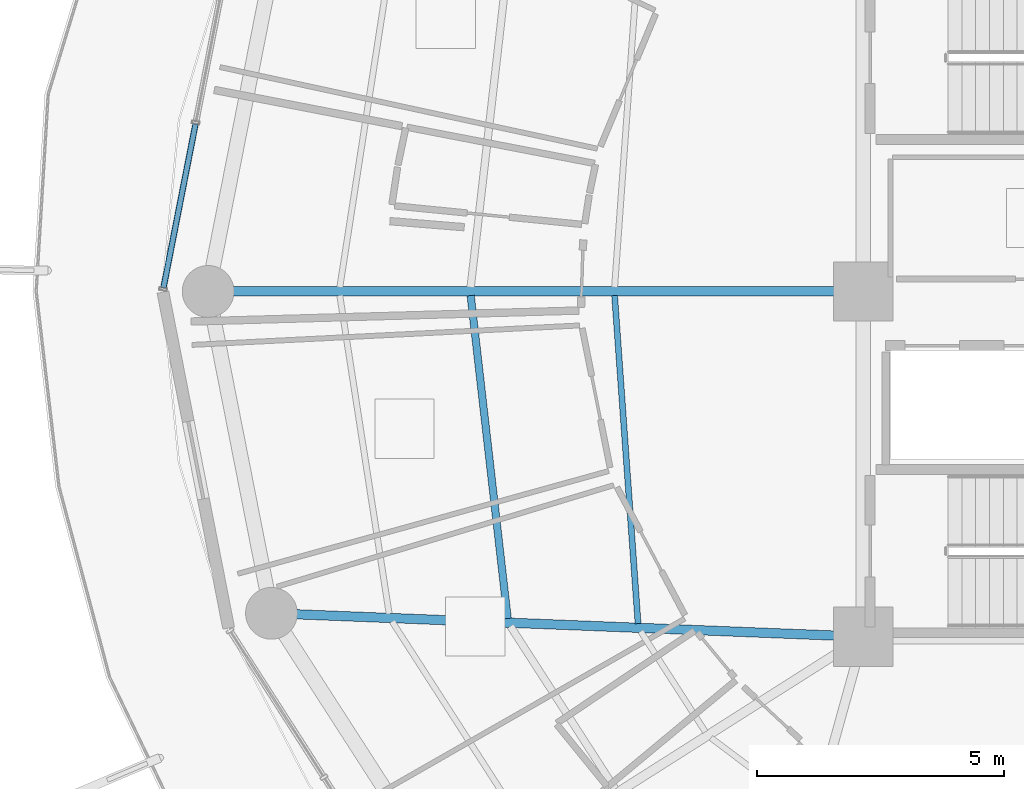
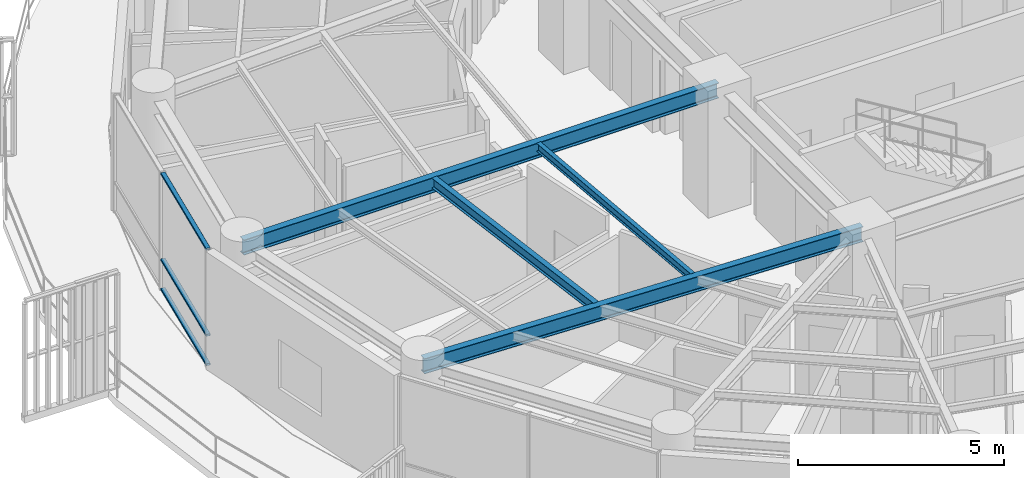
# One storey, part 7 of 30: 4 beams, 3 members, 1 element without a shape of its own.
"""IFC4 building model written with IfcOpenShell, lengths in metres."""

from ifc_helpers import new_model, si_unit, direction, frame, origin, origin_2d, place, context, subcontext, project, spatial, hollow_rectangle, i_section, extrude, material, layer, layer_set, material_profile, profile_set, type_object, element, aggregate, save


model = new_model("IFC4")

# Units and contexts
model_context = context("Model", 3, precision=1e-05, world=origin(), true_north=direction((0.0, 1.0)))
body_context = subcontext(model_context, "Body", "Model", "MODEL_VIEW")
ifc_project = project(units=[si_unit("LENGTHUNIT", "METRE"), si_unit("AREAUNIT", "SQUARE_METRE"), si_unit("VOLUMEUNIT", "CUBIC_METRE"), si_unit("PLANEANGLEUNIT", "RADIAN"), si_unit("MASSUNIT", "GRAM", prefix="KILO")], contexts=[model_context])

# Site, building, storey
site_placement = place(None, origin())
site = spatial("IfcSite", under=ifc_project, at=site_placement, CompositionType="ELEMENT")
building_placement = place(site_placement, origin())
building = spatial("IfcBuilding", under=site, at=building_placement, Name="Kelanora Arch Commons", CompositionType="ELEMENT")
storey_placement = place(building_placement, frame((0.0, 0.0, 204.449951171875)))
storey = spatial("IfcBuildingStorey", under=building, at=storey_placement, Name="L52", CompositionType="ELEMENT", Elevation=204.449951171875)

# Beams
ifc_material_1 = material(Name="Steel S355", Category="steel")
ifc_material_profile_1 = material_profile(ifc_material_1, i_section(OverallWidth=0.14990234375, OverallDepth=0.300048828125, WebThickness=0.007080078125, FlangeThickness=0.0107421875, FilletRadius=0.014892578125, at=origin_2d()), Name="IPE300")
ifc_profile_set_1 = profile_set([ifc_material_profile_1], Name="Steel S355")
beam_type_1 = type_object("IfcBeamType", Name="BM-JST-01", PredefinedType="JOIST", material=ifc_profile_set_1)
beam_1_placement = place(storey_placement, frame((58.041748046875, 57.91552734375, 3.340087890625), z_axis=(0.113891408177, -0.993493204377, 0.0), x_axis=(0.993493204377, 0.113891408177, 0.0)))
element("IfcBeam", 1, at=beam_1_placement, inside=storey, type_object=beam_type_1, Name="Secondary Chord Joist BJB-18 L52", PredefinedType="JOIST", context=body_context, shape_type="SweptSolid", body=[
    extrude(i_section(OverallWidth=0.14990234375, OverallDepth=0.300048828125, WebThickness=0.007080078125, FlangeThickness=0.0107421875, FilletRadius=0.014892578125, at=origin_2d()), origin(), (0.0, 0.0, 1.0), 6.589599609375),
])
ifc_material_profile_2 = material_profile(ifc_material_1, i_section(OverallWidth=0.1201171875, OverallDepth=0.239990234375, WebThickness=0.006103515625, FlangeThickness=0.009765625, FilletRadius=0.014892578125, at=origin_2d()), Name="IPE240")
ifc_profile_set_2 = profile_set([ifc_material_profile_2], Name="Steel S355")
beam_type_2 = type_object("IfcBeamType", Name="BM-JST-02", PredefinedType="JOIST", material=ifc_profile_set_2)
beam_2_placement = place(storey_placement, frame((60.959716796875, 57.915283203125, 3.3701171875), z_axis=(0.07133032136, -0.997452748382, 0.0), x_axis=(0.997452748382, 0.07133032136, 0.0)))
element("IfcBeam", 2, at=beam_2_placement, inside=storey, type_object=beam_type_2, Name="Secondary Chord Joist BJA-18 L52", PredefinedType="JOIST", context=body_context, shape_type="SweptSolid", body=[
    extrude(i_section(OverallWidth=0.1201171875, OverallDepth=0.239990234375, WebThickness=0.006103515625, FlangeThickness=0.009765625, FilletRadius=0.014892578125, at=origin_2d()), origin(), (0.0, 0.0, 1.0), 6.66748046875),
])
ifc_material_profile_3 = material_profile(ifc_material_1, i_section(OverallWidth=0.18994140625, OverallDepth=0.449951171875, WebThickness=0.009521484375, FlangeThickness=0.0146484375, FilletRadius=0.02099609375, at=origin_2d()), Name="IPE450")
ifc_profile_set_3 = profile_set([ifc_material_profile_3], Name="Steel S355")
beam_type_3 = type_object("IfcBeamType", Name="BM-RAD-Z4", PredefinedType="BEAM", material=ifc_profile_set_3)
beam_3_placement = place(storey_placement, frame((66.0, 58.0, 3.26513671875), z_axis=(-1.0, 0.0, 0.0), x_axis=(0.0, -1.0, 0.0)))
element("IfcBeam", 3, at=beam_3_placement, inside=storey, type_object=beam_type_3, Name="Radial Floor Girder BR-18 L52", PredefinedType="BEAM", context=body_context, shape_type="SweptSolid", body=[
    extrude(i_section(OverallWidth=0.18994140625, OverallDepth=0.449951171875, WebThickness=0.009521484375, FlangeThickness=0.0146484375, FilletRadius=0.02099609375, at=origin_2d()), origin(), (0.0, 0.0, 1.0), 13.280029296875),
])
beam_4_placement = place(storey_placement, frame((66.0, 51.0, 3.26513671875), z_axis=(-0.999219142585, 0.03951082246, 0.0), x_axis=(-0.03951082246, -0.999219142585, 0.0)))
element("IfcBeam", 4, at=beam_4_placement, inside=storey, type_object=beam_type_3, Name="Radial Floor Girder BR-20 L52", PredefinedType="BEAM", context=body_context, shape_type="SweptSolid", body=[
    extrude(i_section(OverallWidth=0.18994140625, OverallDepth=0.449951171875, WebThickness=0.009521484375, FlangeThickness=0.0146484375, FilletRadius=0.02099609375, at=origin_2d()), origin(), (0.0, 0.0, 1.0), 12.005859375),
])

# Curtain wall, members
ifc_material_2 = material(Name="Terracotta ceramic-fritted low-E glass and aluminium", Category="masonry")
ifc_layer = layer(ifc_material_2, 0.175048828125)
ifc_layer_set = layer_set([ifc_layer], Name="Terracotta ceramic-fritted low-E glass and aluminium")
curtain_wall_type = type_object("IfcCurtainWallType", Name="CW-SYS-02", PredefinedType="NOTDEFINED", material=ifc_layer_set)
curtain_wall_placement = place(storey_placement, origin())
curtain_wall = element("IfcCurtainWall", 5, at=curtain_wall_placement, inside=storey, type_object=curtain_wall_type, Name="Unitised Curtain Wall L52-B08", PredefinedType="NOTDEFINED")
ifc_material_3 = material(Name="Powder-coated aluminium terracotta", Category="masonry")
ifc_material_profile_4 = material_profile(ifc_material_3, hollow_rectangle(XDim=0.1201171875, YDim=0.06005859375, WallThickness=0.0048828125, InnerFilletRadius=0.0048828125, OuterFilletRadius=0.010009765625, at=origin_2d()), Name="CWT120x60")
ifc_profile_set_4 = profile_set([ifc_material_profile_4], Name="Powder-coated aluminium terracotta")
member_type = type_object("IfcMemberType", Name="CWT-STD", PredefinedType="USERDEFINED", material=ifc_profile_set_4)
member_1_placement = place(storey_placement, frame((52.463623046875, 61.390869140625, 0.030029296875), z_axis=(-0.192044874899, -0.981386145218, 0.0), x_axis=(0.981386145218, -0.192044874899, 0.0)))
member_1 = element("IfcMember", 6, at=member_1_placement, type_object=member_type, Name="CW-02 transom 2.1", ObjectType="TRANSOM", PredefinedType="USERDEFINED", context=body_context, shape_type="SweptSolid", body=[
    extrude(hollow_rectangle(XDim=0.1201171875, YDim=0.06005859375, WallThickness=0.0048828125, InnerFilletRadius=0.0048828125, OuterFilletRadius=0.010009765625, at=origin_2d()), origin(), (0.0, 0.0, 1.0), 3.38037109375),
])
member_2_placement = place(storey_placement, frame((52.463623046875, 61.390869140625, 0.900146484375), z_axis=(-0.192044874899, -0.981386145218, 0.0), x_axis=(0.981386145218, -0.192044874899, 0.0)))
member_2 = element("IfcMember", 7, at=member_2_placement, type_object=member_type, Name="CW-02 transom 2.2", ObjectType="TRANSOM", PredefinedType="USERDEFINED", context=body_context, shape_type="SweptSolid", body=[
    extrude(hollow_rectangle(XDim=0.1201171875, YDim=0.06005859375, WallThickness=0.0048828125, InnerFilletRadius=0.0048828125, OuterFilletRadius=0.010009765625, at=origin_2d()), origin(), (0.0, 0.0, 1.0), 3.38037109375),
])
member_3_placement = place(storey_placement, frame((52.463623046875, 61.390869140625, 3.445068359375), z_axis=(-0.192044874899, -0.981386145218, 0.0), x_axis=(0.981386145218, -0.192044874899, 0.0)))
member_3 = element("IfcMember", 8, at=member_3_placement, type_object=member_type, Name="CW-02 transom 2.3", ObjectType="TRANSOM", PredefinedType="USERDEFINED", context=body_context, shape_type="SweptSolid", body=[
    extrude(hollow_rectangle(XDim=0.1201171875, YDim=0.06005859375, WallThickness=0.0048828125, InnerFilletRadius=0.0048828125, OuterFilletRadius=0.010009765625, at=origin_2d()), origin(), (0.0, 0.0, 1.0), 3.38037109375),
])
aggregate(curtain_wall, [member_1, member_2, member_3])

save(model, "model.ifc")
